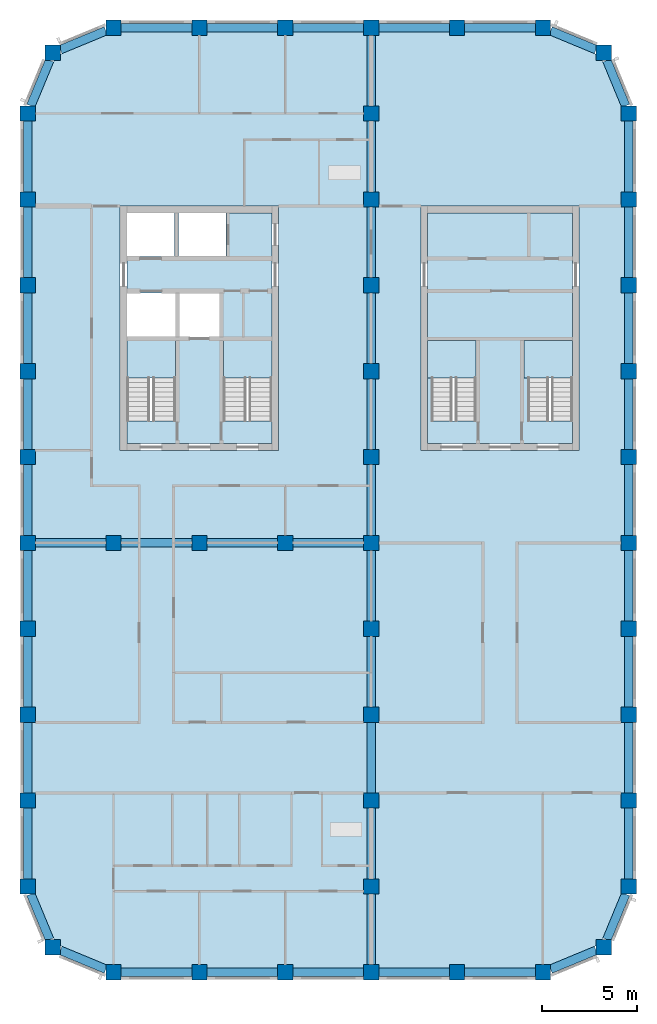
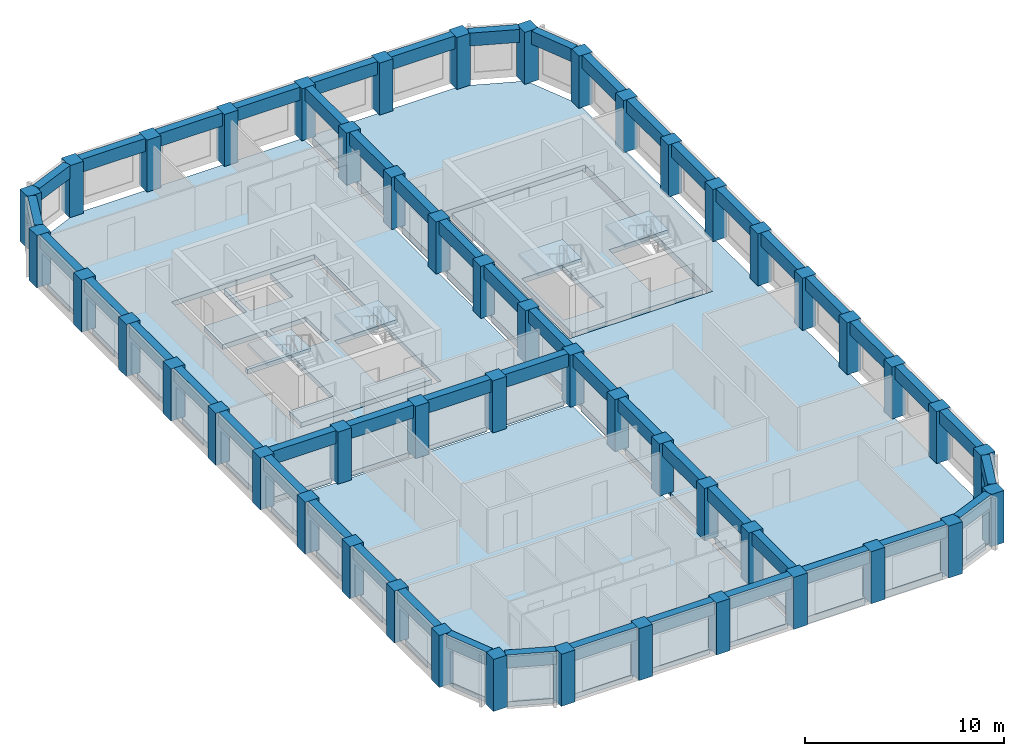
# One storey, part 1 of 9: 51 beams, 49 columns, 9 slabs, 4 elements without a shape of their own.
"""IFC4 building model written with IfcOpenShell, lengths in metres."""

from ifc_helpers import new_model, si_unit, direction, frame, origin, origin_2d, place, context, subcontext, project, spatial, polyline, rectangle, outline, extrude, material, layer, layer_set, material_profile, profile_set, type_object, element, aggregate, save


model = new_model("IFC4")

# Units and contexts
model_context = context("Model", 3, precision=1e-05, world=origin(), true_north=direction((0.0, 1.0)))
body_context = subcontext(model_context, "Body", "Model", "MODEL_VIEW")
ifc_project = project(units=[si_unit("LENGTHUNIT", "METRE"), si_unit("AREAUNIT", "SQUARE_METRE"), si_unit("VOLUMEUNIT", "CUBIC_METRE"), si_unit("PLANEANGLEUNIT", "RADIAN"), si_unit("MASSUNIT", "GRAM", prefix="KILO")], contexts=[model_context])

# Site, building, storey
site_placement = place(None, origin())
site = spatial("IfcSite", under=ifc_project, at=site_placement, CompositionType="ELEMENT")
building_placement = place(site_placement, origin())
building = spatial("IfcBuilding", under=site, at=building_placement, Name="Girih Gate Residences", CompositionType="ELEMENT")
storey_placement = place(building_placement, frame((0.0, 0.0, 198.699951171875)))
storey = spatial("IfcBuildingStorey", under=building, at=storey_placement, Name="L55", CompositionType="ELEMENT", Elevation=198.699951171875)

# Columns
ifc_material_1 = material(Name="Concrete C60/75", Category="concrete")
ifc_material_profile_1 = material_profile(ifc_material_1, rectangle(XDim=0.800048828125, YDim=0.800048828125, at=origin_2d()))
ifc_profile_set_1 = profile_set([ifc_material_profile_1], Name="Concrete C60/75")
column_type = type_object("IfcColumnType", Name="Pier RC 800x800 Concrete C60/75", PredefinedType="COLUMN", material=ifc_profile_set_1)
for number, where, z_axis, x_axis, name in (
    (1, (4.5, 0.0, 0.0), (0.0, 0.0, 1.0), (1.0, 0.0, 0.0), "Pier P2A L55"),
    (2, (9.0, 0.0, 0.0), (0.0, 0.0, 1.0), (1.0, 0.0, 0.0), "Pier P3A L55"),
    (3, (13.5, 0.0, 0.0), (0.0, 0.0, 1.0), (1.0, 0.0, 0.0), "Pier P4A L55"),
    (4, (18.0, 0.0, 0.0), (0.0, 0.0, 1.0), (1.0, 0.0, 0.0), "Pier P5A L55"),
    (5, (22.5, 0.0, 0.0), (0.0, 0.0, 1.0), (1.0, 0.0, 0.0), "Pier P6A L55"),
    (6, (27.0, 0.0, 0.0), (0.0, 0.0, 1.0), (1.0, 0.0, 0.0), "Pier P7A L55"),
    (7, (1.318115234375, 1.318115234375, 0.0), (0.0, 0.0, 1.0), (1.0, 0.0, 0.0), "Pier P1ANE L55"),
    (8, (30.181884765625, 1.318115234375, 0.0), (0.0, 0.0, 1.0), (1.0, 0.0, 0.0), "Pier P8ANW L55"),
    (9, (0.0, 4.5, 0.0), (0.0, 0.0, 1.0), (1.0, 0.0, 0.0), "Pier P1B L55"),
    (10, (18.0, 4.5, 0.0), (0.0, 0.0, 1.0), (1.0, 0.0, 0.0), "Pier P5B L55"),
    (11, (31.5, 4.5, 0.0), (0.0, 0.0, 1.0), (1.0, 0.0, 0.0), "Pier P8B L55"),
    (12, (0.0, 9.0, 0.0), (0.0, 0.0, 1.0), (1.0, 0.0, 0.0), "Pier P1C L55"),
    (13, (18.0, 9.0, 0.0), (0.0, 0.0, 1.0), (1.0, 0.0, 0.0), "Pier P5C L55"),
    (14, (31.5, 9.0, 0.0), (0.0, 0.0, 1.0), (1.0, 0.0, 0.0), "Pier P8C L55"),
    (15, (0.0, 13.5, 0.0), (0.0, 0.0, 1.0), (1.0, 0.0, 0.0), "Pier P1D L55"),
    (16, (18.0, 13.5, 0.0), (0.0, 0.0, 1.0), (1.0, 0.0, 0.0), "Pier P5D L55"),
    (17, (31.5, 13.5, 0.0), (0.0, 0.0, 1.0), (1.0, 0.0, 0.0), "Pier P8D L55"),
    (18, (0.0, 18.0, 0.0), (0.0, 0.0, 1.0), (1.0, 0.0, 0.0), "Pier P1E L55"),
    (19, (18.0, 18.0, 0.0), (0.0, 0.0, 1.0), (1.0, 0.0, 0.0), "Pier P5E L55"),
    (20, (31.5, 18.0, 0.0), (0.0, 0.0, 1.0), (1.0, 0.0, 0.0), "Pier P8E L55"),
    (21, (0.0, 22.5, 0.0), (0.0, 0.0, 1.0), (1.0, 0.0, 0.0), "Pier P1F L55"),
    (22, (4.5, 22.5, 0.0), (0.0, 0.0, 1.0), (1.0, 0.0, 0.0), "Pier P2F L55"),
    (23, (9.0, 22.5, 0.0), (0.0, 0.0, 1.0), (1.0, 0.0, 0.0), "Pier P3F L55"),
    (24, (13.5, 22.5, 0.0), (0.0, 0.0, 1.0), (1.0, 0.0, 0.0), "Pier P4F L55"),
    (25, (18.0, 22.5, 0.0), (0.0, 0.0, 1.0), (1.0, 0.0, 0.0), "Pier P5F L55"),
    (26, (31.5, 22.5, 0.0), (0.0, 0.0, 1.0), (1.0, 0.0, 0.0), "Pier P8F L55"),
    (27, (0.0, 27.0, 0.0), (0.0, 0.0, 1.0), (1.0, 0.0, 0.0), "Pier P1G L55"),
    (28, (18.0, 27.0, 0.0), (0.0, 0.0, 1.0), (1.0, 0.0, 0.0), "Pier P5G L55"),
    (29, (31.5, 27.0, 0.0), (0.0, 0.0, 1.0), (1.0, 0.0, 0.0), "Pier P8G L55"),
    (30, (0.0, 31.5, 0.0), (0.0, 0.0, 1.0), (1.0, 0.0, 0.0), "Pier P1H L55"),
    (31, (18.0, 31.5, 0.0), (0.0, 0.0, 1.0), (1.0, 0.0, 0.0), "Pier P5H L55"),
    (32, (31.5, 31.5, 0.0), (0.0, 0.0, 1.0), (1.0, 0.0, 0.0), "Pier P8H L55"),
    (33, (0.0, 36.0, 0.0), (0.0, 0.0, 1.0), (1.0, 0.0, 0.0), "Pier P1I L55"),
    (34, (18.0, 36.0, 0.0), (0.0, 0.0, 1.0), (1.0, 0.0, 0.0), "Pier P5I L55"),
    (35, (31.5, 36.0, 0.0), (0.0, 0.0, 1.0), (1.0, 0.0, 0.0), "Pier P8I L55"),
    (36, (0.0, 40.5, 0.0), (0.0, 0.0, 1.0), (1.0, 0.0, 0.0), "Pier P1J L55"),
    (37, (18.0, 40.5, 0.0), (0.0, 0.0, 1.0), (1.0, 0.0, 0.0), "Pier P5J L55"),
    (38, (31.5, 40.5, 0.0), (0.0, 0.0, 1.0), (1.0, 0.0, 0.0), "Pier P8J L55"),
    (39, (0.0, 45.0, 0.0), (0.0, 0.0, 1.0), (1.0, 0.0, 0.0), "Pier P1K L55"),
    (40, (18.0, 45.0, 0.0), (0.0, 0.0, 1.0), (1.0, 0.0, 0.0), "Pier P5K L55"),
    (41, (31.5, 45.0, 0.0), (0.0, 0.0, 1.0), (1.0, 0.0, 0.0), "Pier P8K L55"),
    (42, (1.318115234375, 48.181884765625, 0.0), (0.0, 0.0, 1.0), (1.0, 0.0, 0.0), "Pier P1LSE L55"),
    (43, (30.181884765625, 48.181884765625, 0.0), (0.0, 0.0, 1.0), (1.0, 0.0, 0.0), "Pier P8LSW L55"),
    (44, (4.5, 49.5, 0.0), (0.0, 0.0, 1.0), (1.0, 0.0, 0.0), "Pier P2L L55"),
    (45, (9.0, 49.5, 0.0), (0.0, 0.0, 1.0), (1.0, 0.0, 0.0), "Pier P3L L55"),
    (46, (13.5, 49.5, 0.0), (0.0, 0.0, 1.0), (1.0, 0.0, 0.0), "Pier P4L L55"),
    (47, (18.0, 49.5, 0.0), (0.0, 0.0, 1.0), (1.0, 0.0, 0.0), "Pier P5L L55"),
    (48, (22.5, 49.5, 0.0), (0.0, 0.0, 1.0), (1.0, 0.0, 0.0), "Pier P6L L55"),
    (49, (27.0, 49.5, 0.0), (0.0, 0.0, 1.0), (1.0, 0.0, 0.0), "Pier P7L L55"),
):
    element("IfcColumn", number, at=place(storey_placement, frame(where, z_axis=z_axis, x_axis=x_axis)), inside=storey, type_object=column_type, Name=name, PredefinedType="COLUMN", context=body_context, shape_type="SweptSolid", body=[
        extrude(rectangle(XDim=0.800048828125, YDim=0.800048828125, at=origin_2d()), origin(), (0.0, 0.0, 1.0), 3.199951171875),
    ])

# Beams
ifc_material_profile_2 = material_profile(ifc_material_1, rectangle(XDim=0.449951171875, YDim=0.800048828125, at=origin_2d()))
ifc_profile_set_2 = profile_set([ifc_material_profile_2], Name="Concrete C60/75")
beam_type = type_object("IfcBeamType", Name="Spandrel girder RC 450x800 Concrete C60/75", PredefinedType="BEAM", material=ifc_profile_set_2)
for number, where, z_axis, x_axis, name in (
    (50, (27.39990234375, 0.165771484375, 2.800048828125), (0.923895659062, 0.382644497107, 0.0), (-0.382644497107, 0.923895659062, 0.0), "Spandrel girder SP-P7A-P8ANW L55"),
    (51, (30.34765625, 1.718017578125, 2.800048828125), (0.382644497107, 0.923895659062, 0.0), (-0.923895659062, 0.382644497107, 0.0), "Spandrel girder SP-P8ANW-P8B L55"),
):
    element("IfcBeam", number, at=place(storey_placement, frame(where, z_axis=z_axis, x_axis=x_axis)), inside=storey, type_object=beam_type, Name=name, PredefinedType="BEAM", context=body_context, shape_type="SweptSolid", body=[
        extrude(rectangle(XDim=0.449951171875, YDim=0.800048828125, at=origin_2d()), origin(), (0.0, 0.0, 1.0), 2.578369140625),
    ])
for number, where, z_axis, x_axis, name in (
    (52, (31.5, 4.89990234375, 2.800048828125), (0.0, 1.0, 0.0), (-1.0, 0.0, 0.0), "Spandrel girder SP-P8B-P8C L55"),
    (53, (31.5, 9.39990234375, 2.800048828125), (0.0, 1.0, 0.0), (-1.0, 0.0, 0.0), "Spandrel girder SP-P8C-P8D L55"),
    (54, (31.5, 13.89990234375, 2.800048828125), (0.0, 1.0, 0.0), (-1.0, 0.0, 0.0), "Spandrel girder SP-P8D-P8E L55"),
    (55, (31.5, 18.39990234375, 2.800048828125), (0.0, 1.0, 0.0), (-1.0, 0.0, 0.0), "Spandrel girder SP-P8E-P8F L55"),
    (56, (31.5, 22.89990234375, 2.800048828125), (0.0, 1.0, 0.0), (-1.0, 0.0, 0.0), "Spandrel girder SP-P8F-P8G L55"),
    (57, (31.5, 27.39990234375, 2.800048828125), (0.0, 1.0, 0.0), (-1.0, 0.0, 0.0), "Spandrel girder SP-P8G-P8H L55"),
    (58, (31.5, 31.89990234375, 2.800048828125), (0.0, 1.0, 0.0), (-1.0, 0.0, 0.0), "Spandrel girder SP-P8H-P8I L55"),
    (59, (31.5, 36.39990234375, 2.800048828125), (0.0, 1.0, 0.0), (-1.0, 0.0, 0.0), "Spandrel girder SP-P8I-P8J L55"),
    (60, (31.5, 40.89990234375, 2.800048828125), (0.0, 1.0, 0.0), (-1.0, 0.0, 0.0), "Spandrel girder SP-P8J-P8K L55"),
):
    element("IfcBeam", number, at=place(storey_placement, frame(where, z_axis=z_axis, x_axis=x_axis)), inside=storey, type_object=beam_type, Name=name, PredefinedType="BEAM", context=body_context, shape_type="SweptSolid", body=[
        extrude(rectangle(XDim=0.449951171875, YDim=0.800048828125, at=origin_2d()), origin(), (0.0, 0.0, 1.0), 3.7001953125),
    ])
for number, where, z_axis, x_axis, name in (
    (61, (31.334228515625, 45.39990234375, 2.800048828125), (-0.382644497107, 0.923895659062, 0.0), (-0.923895659062, -0.382644497107, 0.0), "Spandrel girder SP-P8K-P8LSW L55"),
    (62, (29.781982421875, 48.34765625, 2.800048828125), (-0.923895659062, 0.382644497107, 0.0), (-0.382644497107, -0.923895659062, 0.0), "Spandrel girder SP-P8LSW-P7L L55"),
):
    element("IfcBeam", number, at=place(storey_placement, frame(where, z_axis=z_axis, x_axis=x_axis)), inside=storey, type_object=beam_type, Name=name, PredefinedType="BEAM", context=body_context, shape_type="SweptSolid", body=[
        extrude(rectangle(XDim=0.449951171875, YDim=0.800048828125, at=origin_2d()), origin(), (0.0, 0.0, 1.0), 2.578369140625),
    ])
for number, where, z_axis, x_axis, name in (
    (63, (26.60009765625, 49.5, 2.800048828125), (-1.0, 0.0, 0.0), (0.0, -1.0, 0.0), "Spandrel girder SP-P7L-P6L L55"),
    (64, (22.10009765625, 49.5, 2.800048828125), (-1.0, 0.0, 0.0), (0.0, -1.0, 0.0), "Spandrel girder SP-P6L-P5L L55"),
    (65, (17.60009765625, 49.5, 2.800048828125), (-1.0, 0.0, 0.0), (0.0, -1.0, 0.0), "Spandrel girder SP-P5L-P4L L55"),
    (66, (13.10009765625, 49.5, 2.800048828125), (-1.0, 0.0, 0.0), (0.0, -1.0, 0.0), "Spandrel girder SP-P4L-P3L L55"),
    (67, (8.60009765625, 49.5, 2.800048828125), (-1.0, 0.0, 0.0), (0.0, -1.0, 0.0), "Spandrel girder SP-P3L-P2L L55"),
):
    element("IfcBeam", number, at=place(storey_placement, frame(where, z_axis=z_axis, x_axis=x_axis)), inside=storey, type_object=beam_type, Name=name, PredefinedType="BEAM", context=body_context, shape_type="SweptSolid", body=[
        extrude(rectangle(XDim=0.449951171875, YDim=0.800048828125, at=origin_2d()), origin(), (0.0, 0.0, 1.0), 3.7001953125),
    ])
for number, where, z_axis, x_axis, name in (
    (68, (4.10009765625, 49.334228515625, 2.800048828125), (-0.923895659062, -0.382644497107, 0.0), (0.382644497107, -0.923895659062, 0.0), "Spandrel girder SP-P2L-P1LSE L55"),
    (69, (1.15234375, 47.781982421875, 2.800048828125), (-0.382644497107, -0.923895659062, 0.0), (0.923895659062, -0.382644497107, 0.0), "Spandrel girder SP-P1LSE-P1K L55"),
):
    element("IfcBeam", number, at=place(storey_placement, frame(where, z_axis=z_axis, x_axis=x_axis)), inside=storey, type_object=beam_type, Name=name, PredefinedType="BEAM", context=body_context, shape_type="SweptSolid", body=[
        extrude(rectangle(XDim=0.449951171875, YDim=0.800048828125, at=origin_2d()), origin(), (0.0, 0.0, 1.0), 2.578369140625),
    ])
for number, where, z_axis, x_axis, name in (
    (70, (0.0, 44.60009765625, 2.800048828125), (0.0, -1.0, 0.0), (1.0, 0.0, 0.0), "Spandrel girder SP-P1K-P1J L55"),
    (71, (0.0, 40.10009765625, 2.800048828125), (0.0, -1.0, 0.0), (1.0, 0.0, 0.0), "Spandrel girder SP-P1J-P1I L55"),
    (72, (0.0, 35.60009765625, 2.800048828125), (0.0, -1.0, 0.0), (1.0, 0.0, 0.0), "Spandrel girder SP-P1I-P1H L55"),
    (73, (0.0, 31.10009765625, 2.800048828125), (0.0, -1.0, 0.0), (1.0, 0.0, 0.0), "Spandrel girder SP-P1H-P1G L55"),
    (74, (0.0, 26.60009765625, 2.800048828125), (0.0, -1.0, 0.0), (1.0, 0.0, 0.0), "Spandrel girder SP-P1G-P1F L55"),
    (75, (0.0, 22.10009765625, 2.800048828125), (0.0, -1.0, 0.0), (1.0, 0.0, 0.0), "Spandrel girder SP-P1F-P1E L55"),
    (76, (0.0, 17.60009765625, 2.800048828125), (0.0, -1.0, 0.0), (1.0, 0.0, 0.0), "Spandrel girder SP-P1E-P1D L55"),
    (77, (0.0, 13.10009765625, 2.800048828125), (0.0, -1.0, 0.0), (1.0, 0.0, 0.0), "Spandrel girder SP-P1D-P1C L55"),
    (78, (0.0, 8.60009765625, 2.800048828125), (0.0, -1.0, 0.0), (1.0, 0.0, 0.0), "Spandrel girder SP-P1C-P1B L55"),
):
    element("IfcBeam", number, at=place(storey_placement, frame(where, z_axis=z_axis, x_axis=x_axis)), inside=storey, type_object=beam_type, Name=name, PredefinedType="BEAM", context=body_context, shape_type="SweptSolid", body=[
        extrude(rectangle(XDim=0.449951171875, YDim=0.800048828125, at=origin_2d()), origin(), (0.0, 0.0, 1.0), 3.7001953125),
    ])
for number, where, z_axis, x_axis, name in (
    (79, (0.165771484375, 4.10009765625, 2.800048828125), (0.382644497107, -0.923895659062, 0.0), (0.923895659062, 0.382644497107, 0.0), "Spandrel girder SP-P1B-P1ANE L55"),
    (80, (1.718017578125, 1.15234375, 2.800048828125), (0.923895659062, -0.382644497107, 0.0), (0.382644497107, 0.923895659062, 0.0), "Spandrel girder SP-P1ANE-P2A L55"),
):
    element("IfcBeam", number, at=place(storey_placement, frame(where, z_axis=z_axis, x_axis=x_axis)), inside=storey, type_object=beam_type, Name=name, PredefinedType="BEAM", context=body_context, shape_type="SweptSolid", body=[
        extrude(rectangle(XDim=0.449951171875, YDim=0.800048828125, at=origin_2d()), origin(), (0.0, 0.0, 1.0), 2.578369140625),
    ])
for number, where, z_axis, x_axis, name in (
    (81, (4.89990234375, 0.0, 2.800048828125), (1.0, 0.0, 0.0), (0.0, 1.0, 0.0), "Spandrel girder SP-P2A-P3A L55"),
    (82, (9.39990234375, 0.0, 2.800048828125), (1.0, 0.0, 0.0), (0.0, 1.0, 0.0), "Spandrel girder SP-P3A-P4A L55"),
    (83, (13.89990234375, 0.0, 2.800048828125), (1.0, 0.0, 0.0), (0.0, 1.0, 0.0), "Spandrel girder SP-P4A-P5A L55"),
    (84, (18.39990234375, 0.0, 2.800048828125), (1.0, 0.0, 0.0), (0.0, 1.0, 0.0), "Spandrel girder SP-P5A-P6A L55"),
    (85, (22.89990234375, 0.0, 2.800048828125), (1.0, 0.0, 0.0), (0.0, 1.0, 0.0), "Spandrel girder SP-P6A-P7A L55"),
    (86, (18.0, 0.39990234375, 2.800048828125), (0.0, 1.0, 0.0), (-1.0, 0.0, 0.0), "Spandrel girder SP-P5A-P5B L55"),
    (87, (18.0, 4.89990234375, 2.800048828125), (0.0, 1.0, 0.0), (-1.0, 0.0, 0.0), "Spandrel girder SP-P5B-P5C L55"),
    (88, (18.0, 9.39990234375, 2.800048828125), (0.0, 1.0, 0.0), (-1.0, 0.0, 0.0), "Spandrel girder SP-P5C-P5D L55"),
    (89, (18.0, 13.89990234375, 2.800048828125), (0.0, 1.0, 0.0), (-1.0, 0.0, 0.0), "Spandrel girder SP-P5D-P5E L55"),
    (90, (18.0, 18.39990234375, 2.800048828125), (0.0, 1.0, 0.0), (-1.0, 0.0, 0.0), "Spandrel girder SP-P5E-P5F L55"),
    (91, (18.0, 22.89990234375, 2.800048828125), (0.0, 1.0, 0.0), (-1.0, 0.0, 0.0), "Spandrel girder SP-P5F-P5G L55"),
    (92, (18.0, 27.39990234375, 2.800048828125), (0.0, 1.0, 0.0), (-1.0, 0.0, 0.0), "Spandrel girder SP-P5G-P5H L55"),
    (93, (18.0, 31.89990234375, 2.800048828125), (0.0, 1.0, 0.0), (-1.0, 0.0, 0.0), "Spandrel girder SP-P5H-P5I L55"),
    (94, (18.0, 36.39990234375, 2.800048828125), (0.0, 1.0, 0.0), (-1.0, 0.0, 0.0), "Spandrel girder SP-P5I-P5J L55"),
    (95, (18.0, 40.89990234375, 2.800048828125), (0.0, 1.0, 0.0), (-1.0, 0.0, 0.0), "Spandrel girder SP-P5J-P5K L55"),
    (96, (18.0, 45.39990234375, 2.800048828125), (0.0, 1.0, 0.0), (-1.0, 0.0, 0.0), "Spandrel girder SP-P5K-P5L L55"),
    (97, (0.39990234375, 22.5, 2.800048828125), (1.0, 0.0, 0.0), (0.0, 1.0, 0.0), "Spandrel girder SP-P1F-P2F L55"),
    (98, (4.89990234375, 22.5, 2.800048828125), (1.0, 0.0, 0.0), (0.0, 1.0, 0.0), "Spandrel girder SP-P2F-P3F L55"),
    (99, (9.39990234375, 22.5, 2.800048828125), (1.0, 0.0, 0.0), (0.0, 1.0, 0.0), "Spandrel girder SP-P3F-P4F L55"),
    (100, (13.89990234375, 22.5, 2.800048828125), (1.0, 0.0, 0.0), (0.0, 1.0, 0.0), "Spandrel girder SP-P4F-P5F L55"),
):
    element("IfcBeam", number, at=place(storey_placement, frame(where, z_axis=z_axis, x_axis=x_axis)), inside=storey, type_object=beam_type, Name=name, PredefinedType="BEAM", context=body_context, shape_type="SweptSolid", body=[
        extrude(rectangle(XDim=0.449951171875, YDim=0.800048828125, at=origin_2d()), origin(), (0.0, 0.0, 1.0), 3.7001953125),
    ])

# Slabs
ifc_material_2 = material(Name="Concrete C40/50", Category="concrete")
ifc_layer_1 = layer(ifc_material_2, 0.300048828125)
ifc_layer_set_1 = layer_set([ifc_layer_1], Name="Core floor slab 300")
slab_type_1 = type_object("IfcSlabType", Name="Core floor slab 300", PredefinedType="FLOOR", material=ifc_layer_set_1)
slab_1_placement = place(storey_placement, frame((0.0, 0.0, -0.300048828125)))
element("IfcSlab", 101, at=slab_1_placement, inside=storey, type_object=slab_type_1, Name="L55 W core floor", PredefinedType="FLOOR", context=body_context, shape_type="SweptSolid", body=[
    extrude(outline(polyline([(12.800048828125, 27.699951171875), (5.199951171875, 27.699951171875), (5.199951171875, 28.900634765625), (7.75, 28.900634765625), (7.75, 33.10009765625), (5.199951171875, 33.10009765625), (5.199951171875, 33.300048828125), (7.75, 33.300048828125), (7.75, 35.60009765625), (5.199951171875, 35.60009765625), (5.199951171875, 37.5), (7.699951171875, 37.5), (7.699951171875, 39.800048828125), (7.89990234375, 39.800048828125), (7.89990234375, 37.5), (10.39990234375, 37.5), (10.39990234375, 39.800048828125), (12.800048828125, 39.800048828125), (12.800048828125, 33.10009765625), (10.25, 33.10009765625), (10.25, 28.900634765625), (12.800048828125, 28.900634765625), (12.800048828125, 27.699951171875)]), holes=[polyline([(7.949951171875, 33.300048828125), (10.050048828125, 33.300048828125), (10.050048828125, 35.60009765625), (7.949951171875, 35.60009765625), (7.949951171875, 33.300048828125)])]), origin(), (0.0, 0.0, 1.0), 0.300048828125),
])
slab_2_placement = place(storey_placement, frame((0.0, 0.0, -0.300048828125)))
element("IfcSlab", 102, at=slab_2_placement, inside=storey, type_object=slab_type_1, Name="L55 C core floor", PredefinedType="FLOOR", context=body_context, shape_type="SweptSolid", body=[
    extrude(outline(polyline([(28.550048828125, 27.699951171875), (20.949951171875, 27.699951171875), (20.949951171875, 39.800048828125), (28.550048828125, 39.800048828125), (28.550048828125, 33.10009765625), (26.199951171875, 33.10009765625), (26.199951171875, 28.900634765625), (28.550048828125, 28.900634765625), (28.550048828125, 27.699951171875)]), holes=[polyline([(23.5, 28.900634765625), (23.5, 33.10009765625), (21.14990234375, 33.10009765625), (21.14990234375, 28.900634765625), (23.5, 28.900634765625)])]), origin(), (0.0, 0.0, 1.0), 0.300048828125),
])
ifc_layer_2 = layer(ifc_material_2, 0.300048828125)
ifc_layer_set_2 = layer_set([ifc_layer_2], Name="Floor slab PT 300 Concrete C40/50")
slab_type_2 = type_object("IfcSlabType", Name="Floor slab PT 300 Concrete C40/50", PredefinedType="FLOOR", material=ifc_layer_set_2)
slab_3_placement = place(storey_placement, frame((0.0, 0.0, -0.300048828125)))
element("IfcSlab", 103, at=slab_3_placement, inside=storey, type_object=slab_type_2, Name="Floor slab L55 0", PredefinedType="FLOOR", context=body_context, shape_type="SweptSolid", body=[
    extrude(outline(polyline([(13.89990234375, 0.22509765625), (17.60009765625, 0.22509765625), (17.60009765625, 0.39990234375), (17.77490234375, 0.39990234375), (17.77490234375, 4.10009765625), (17.60009765625, 4.10009765625), (17.60009765625, 4.89990234375), (17.77490234375, 4.89990234375), (17.77490234375, 8.60009765625), (17.60009765625, 8.60009765625), (17.60009765625, 9.39990234375), (17.77490234375, 9.39990234375), (17.77490234375, 13.10009765625), (17.60009765625, 13.10009765625), (17.60009765625, 13.89990234375), (17.77490234375, 13.89990234375), (17.77490234375, 17.60009765625), (17.60009765625, 17.60009765625), (17.60009765625, 18.39990234375), (17.77490234375, 18.39990234375), (17.77490234375, 22.10009765625), (17.60009765625, 22.10009765625), (17.60009765625, 22.27490234375), (13.89990234375, 22.27490234375), (13.89990234375, 22.10009765625), (13.10009765625, 22.10009765625), (13.10009765625, 22.27490234375), (9.39990234375, 22.27490234375), (9.39990234375, 22.10009765625), (8.60009765625, 22.10009765625), (8.60009765625, 22.27490234375), (4.89990234375, 22.27490234375), (4.89990234375, 22.10009765625), (4.10009765625, 22.10009765625), (4.10009765625, 22.27490234375), (0.39990234375, 22.27490234375), (0.39990234375, 22.10009765625), (0.22509765625, 22.10009765625), (0.22509765625, 18.39990234375), (0.39990234375, 18.39990234375), (0.39990234375, 17.60009765625), (0.22509765625, 17.60009765625), (0.22509765625, 13.89990234375), (0.39990234375, 13.89990234375), (0.39990234375, 13.10009765625), (0.22509765625, 13.10009765625), (0.22509765625, 9.39990234375), (0.39990234375, 9.39990234375), (0.39990234375, 8.60009765625), (0.22509765625, 8.60009765625), (0.22509765625, 4.89990234375), (0.39990234375, 4.89990234375), (0.39990234375, 4.122314453125), (1.395751953125, 1.718017578125), (1.718017578125, 1.718017578125), (1.718017578125, 1.395751953125), (4.122314453125, 0.39990234375), (4.89990234375, 0.39990234375), (4.89990234375, 0.22509765625), (8.60009765625, 0.22509765625), (8.60009765625, 0.39990234375), (9.39990234375, 0.39990234375), (9.39990234375, 0.22509765625), (13.10009765625, 0.22509765625), (13.10009765625, 0.39990234375), (13.89990234375, 0.39990234375), (13.89990234375, 0.22509765625)])), origin(), (0.0, 0.0, 1.0), 0.300048828125),
])
slab_4_placement = place(storey_placement, frame((0.0, 0.0, -0.300048828125)))
element("IfcSlab", 104, at=slab_4_placement, inside=storey, type_object=slab_type_2, Name="Floor slab L55 2", PredefinedType="FLOOR", context=body_context, shape_type="SweptSolid", body=[
    extrude(outline(polyline([(0.22509765625, 26.60009765625), (0.22509765625, 22.89990234375), (0.39990234375, 22.89990234375), (0.39990234375, 22.72509765625), (4.10009765625, 22.72509765625), (4.10009765625, 22.89990234375), (4.89990234375, 22.89990234375), (4.89990234375, 22.72509765625), (8.60009765625, 22.72509765625), (8.60009765625, 22.89990234375), (9.39990234375, 22.89990234375), (9.39990234375, 22.72509765625), (13.10009765625, 22.72509765625), (13.10009765625, 22.89990234375), (13.89990234375, 22.89990234375), (13.89990234375, 22.72509765625), (17.60009765625, 22.72509765625), (17.60009765625, 22.89990234375), (17.77490234375, 22.89990234375), (17.77490234375, 26.60009765625), (17.60009765625, 26.60009765625), (17.60009765625, 27.39990234375), (17.77490234375, 27.39990234375), (17.77490234375, 31.10009765625), (17.60009765625, 31.10009765625), (17.60009765625, 31.89990234375), (17.77490234375, 31.89990234375), (17.77490234375, 35.60009765625), (17.60009765625, 35.60009765625), (17.60009765625, 36.39990234375), (17.77490234375, 36.39990234375), (17.77490234375, 40.10009765625), (17.60009765625, 40.10009765625), (17.60009765625, 40.89990234375), (17.77490234375, 40.89990234375), (17.77490234375, 44.60009765625), (17.60009765625, 44.60009765625), (17.60009765625, 45.39990234375), (17.77490234375, 45.39990234375), (17.77490234375, 49.10009765625), (17.60009765625, 49.10009765625), (17.60009765625, 49.27490234375), (13.89990234375, 49.27490234375), (13.89990234375, 49.10009765625), (13.10009765625, 49.10009765625), (13.10009765625, 49.27490234375), (9.39990234375, 49.27490234375), (9.39990234375, 49.10009765625), (8.60009765625, 49.10009765625), (8.60009765625, 49.27490234375), (4.89990234375, 49.27490234375), (4.89990234375, 49.10009765625), (4.122314453125, 49.10009765625), (1.718017578125, 48.104248046875), (1.718017578125, 47.781982421875), (1.395751953125, 47.781982421875), (0.39990234375, 45.377685546875), (0.39990234375, 44.60009765625), (0.22509765625, 44.60009765625), (0.22509765625, 40.89990234375), (0.39990234375, 40.89990234375), (0.39990234375, 40.10009765625), (0.22509765625, 40.10009765625), (0.22509765625, 36.39990234375), (0.39990234375, 36.39990234375), (0.39990234375, 35.60009765625), (0.22509765625, 35.60009765625), (0.22509765625, 31.89990234375), (0.39990234375, 31.89990234375), (0.39990234375, 31.10009765625), (0.22509765625, 31.10009765625), (0.22509765625, 27.39990234375), (0.39990234375, 27.39990234375), (0.39990234375, 26.60009765625), (0.22509765625, 26.60009765625)]), holes=[polyline([(13.14990234375, 40.14990234375), (13.14990234375, 27.35009765625), (4.85009765625, 27.35009765625), (4.85009765625, 40.14990234375), (13.14990234375, 40.14990234375)])]), origin(), (0.0, 0.0, 1.0), 0.300048828125),
])
ifc_layer_3 = layer(ifc_material_2, 0.449951171875)
ifc_layer_set_3 = layer_set([ifc_layer_3], Name="Floor slab PT 450 Concrete C40/50")
slab_type_3 = type_object("IfcSlabType", Name="Floor slab PT 450 Concrete C40/50", PredefinedType="FLOOR", material=ifc_layer_set_3)
slab_5_placement = place(storey_placement, frame((0.0, 0.0, -0.449951171875)))
element("IfcSlab", 105, at=slab_5_placement, inside=storey, type_object=slab_type_3, Name="Floor slab L55 1", PredefinedType="FLOOR", context=body_context, shape_type="SweptSolid", body=[
    extrude(outline(polyline([(22.89990234375, 0.22509765625), (26.60009765625, 0.22509765625), (26.60009765625, 0.39990234375), (27.377685546875, 0.39990234375), (29.781982421875, 1.395751953125), (29.781982421875, 1.718017578125), (30.104248046875, 1.718017578125), (31.10009765625, 4.122314453125), (31.10009765625, 4.89990234375), (31.27490234375, 4.89990234375), (31.27490234375, 8.60009765625), (31.10009765625, 8.60009765625), (31.10009765625, 9.39990234375), (31.27490234375, 9.39990234375), (31.27490234375, 13.10009765625), (31.10009765625, 13.10009765625), (31.10009765625, 13.89990234375), (31.27490234375, 13.89990234375), (31.27490234375, 17.60009765625), (31.10009765625, 17.60009765625), (31.10009765625, 18.39990234375), (31.27490234375, 18.39990234375), (31.27490234375, 22.10009765625), (31.10009765625, 22.10009765625), (31.10009765625, 22.89990234375), (31.27490234375, 22.89990234375), (31.27490234375, 26.60009765625), (31.10009765625, 26.60009765625), (31.10009765625, 27.39990234375), (31.27490234375, 27.39990234375), (31.27490234375, 31.10009765625), (31.10009765625, 31.10009765625), (31.10009765625, 31.89990234375), (31.27490234375, 31.89990234375), (31.27490234375, 35.60009765625), (31.10009765625, 35.60009765625), (31.10009765625, 36.39990234375), (31.27490234375, 36.39990234375), (31.27490234375, 40.10009765625), (31.10009765625, 40.10009765625), (31.10009765625, 40.89990234375), (31.27490234375, 40.89990234375), (31.27490234375, 44.60009765625), (31.10009765625, 44.60009765625), (31.10009765625, 45.377685546875), (30.104248046875, 47.781982421875), (29.781982421875, 47.781982421875), (29.781982421875, 48.104248046875), (27.377685546875, 49.10009765625), (26.60009765625, 49.10009765625), (26.60009765625, 49.27490234375), (22.89990234375, 49.27490234375), (22.89990234375, 49.10009765625), (22.10009765625, 49.10009765625), (22.10009765625, 49.27490234375), (18.39990234375, 49.27490234375), (18.39990234375, 49.10009765625), (18.22509765625, 49.10009765625), (18.22509765625, 45.39990234375), (18.39990234375, 45.39990234375), (18.39990234375, 44.60009765625), (18.22509765625, 44.60009765625), (18.22509765625, 40.89990234375), (18.39990234375, 40.89990234375), (18.39990234375, 40.10009765625), (18.22509765625, 40.10009765625), (18.22509765625, 36.39990234375), (18.39990234375, 36.39990234375), (18.39990234375, 35.60009765625), (18.22509765625, 35.60009765625), (18.22509765625, 31.89990234375), (18.39990234375, 31.89990234375), (18.39990234375, 31.10009765625), (18.22509765625, 31.10009765625), (18.22509765625, 27.39990234375), (18.39990234375, 27.39990234375), (18.39990234375, 26.60009765625), (18.22509765625, 26.60009765625), (18.22509765625, 22.89990234375), (18.39990234375, 22.89990234375), (18.39990234375, 22.10009765625), (18.22509765625, 22.10009765625), (18.22509765625, 18.39990234375), (18.39990234375, 18.39990234375), (18.39990234375, 17.60009765625), (18.22509765625, 17.60009765625), (18.22509765625, 13.89990234375), (18.39990234375, 13.89990234375), (18.39990234375, 13.10009765625), (18.22509765625, 13.10009765625), (18.22509765625, 9.39990234375), (18.39990234375, 9.39990234375), (18.39990234375, 8.60009765625), (18.22509765625, 8.60009765625), (18.22509765625, 4.89990234375), (18.39990234375, 4.89990234375), (18.39990234375, 4.10009765625), (18.22509765625, 4.10009765625), (18.22509765625, 0.39990234375), (18.39990234375, 0.39990234375), (18.39990234375, 0.22509765625), (22.10009765625, 0.22509765625), (22.10009765625, 0.39990234375), (22.89990234375, 0.39990234375), (22.89990234375, 0.22509765625)]), holes=[polyline([(28.89990234375, 40.14990234375), (28.89990234375, 27.35009765625), (20.60009765625, 27.35009765625), (20.60009765625, 40.14990234375), (28.89990234375, 40.14990234375)])]), origin(), (0.0, 0.0, 1.0), 0.449951171875),
])

# Stair, slab
stair_type_1 = type_object("IfcStairType", Name="Exit stair", PredefinedType="HALF_TURN_STAIR", material=ifc_material_2)
stair_1_placement = place(storey_placement, origin())
stair_1 = element("IfcStair", 106, at=stair_1_placement, inside=storey, type_object=stair_type_1, Name="L55 Exit Stair ST-W1", PredefinedType="HALF_TURN_STAIR")
ifc_layer_4 = layer(ifc_material_2, 0.199951171875)
ifc_layer_set_4 = layer_set([ifc_layer_4], Name="Stair landing 200")
slab_type_4 = type_object("IfcSlabType", Name="Stair landing 200", PredefinedType="LANDING", material=ifc_layer_set_4)
slab_6_placement = place(storey_placement, frame((0.0, 0.0, 1.400146484375)))
slab_6 = element("IfcSlab", 107, at=slab_6_placement, type_object=slab_type_4, Name="ST-W1 landing 1", PredefinedType="LANDING", context=body_context, shape_type="SweptSolid", body=[
    extrude(outline(polyline([(7.75, 31.14990234375), (7.75, 33.10009765625), (5.199951171875, 33.10009765625), (5.199951171875, 31.14990234375), (7.75, 31.14990234375)])), origin(), (0.0, 0.0, 1.0), 0.199951171875),
])
aggregate(stair_1, [slab_6])

stair_2_placement = place(storey_placement, origin())
stair_2 = element("IfcStair", 108, at=stair_2_placement, inside=storey, type_object=stair_type_1, Name="L55 Exit Stair ST-W2", PredefinedType="HALF_TURN_STAIR")
slab_7_placement = place(storey_placement, frame((0.0, 0.0, 1.400146484375)))
slab_7 = element("IfcSlab", 109, at=slab_7_placement, type_object=slab_type_4, Name="ST-W2 landing 1", PredefinedType="LANDING", context=body_context, shape_type="SweptSolid", body=[
    extrude(outline(polyline([(12.800048828125, 31.14990234375), (12.800048828125, 33.10009765625), (10.25, 33.10009765625), (10.25, 31.14990234375), (12.800048828125, 31.14990234375)])), origin(), (0.0, 0.0, 1.0), 0.199951171875),
])
aggregate(stair_2, [slab_7])

stair_type_2 = type_object("IfcStairType", Name="Exit stair C core", PredefinedType="HALF_TURN_STAIR", material=ifc_material_2)
stair_3_placement = place(storey_placement, origin())
stair_3 = element("IfcStair", 110, at=stair_3_placement, inside=storey, type_object=stair_type_2, Name="L55 Exit Stair ST-C1", PredefinedType="HALF_TURN_STAIR")
slab_8_placement = place(storey_placement, frame((0.0, 0.0, 1.400146484375)))
slab_8 = element("IfcSlab", 111, at=slab_8_placement, type_object=slab_type_4, Name="ST-C1 landing 1", PredefinedType="LANDING", context=body_context, shape_type="SweptSolid", body=[
    extrude(outline(polyline([(23.5, 31.14990234375), (23.5, 33.10009765625), (20.949951171875, 33.10009765625), (20.949951171875, 31.14990234375), (23.5, 31.14990234375)])), origin(), (0.0, 0.0, 1.0), 0.199951171875),
])
aggregate(stair_3, [slab_8])

stair_4_placement = place(storey_placement, origin())
stair_4 = element("IfcStair", 112, at=stair_4_placement, inside=storey, type_object=stair_type_2, Name="L55 Exit Stair ST-C2", PredefinedType="HALF_TURN_STAIR")
slab_9_placement = place(storey_placement, frame((0.0, 0.0, 1.400146484375)))
slab_9 = element("IfcSlab", 113, at=slab_9_placement, type_object=slab_type_4, Name="ST-C2 landing 1", PredefinedType="LANDING", context=body_context, shape_type="SweptSolid", body=[
    extrude(outline(polyline([(28.550048828125, 31.14990234375), (28.550048828125, 33.10009765625), (26.0, 33.10009765625), (26.0, 31.14990234375), (28.550048828125, 31.14990234375)])), origin(), (0.0, 0.0, 1.0), 0.199951171875),
])
aggregate(stair_4, [slab_9])

save(model, "model.ifc")
